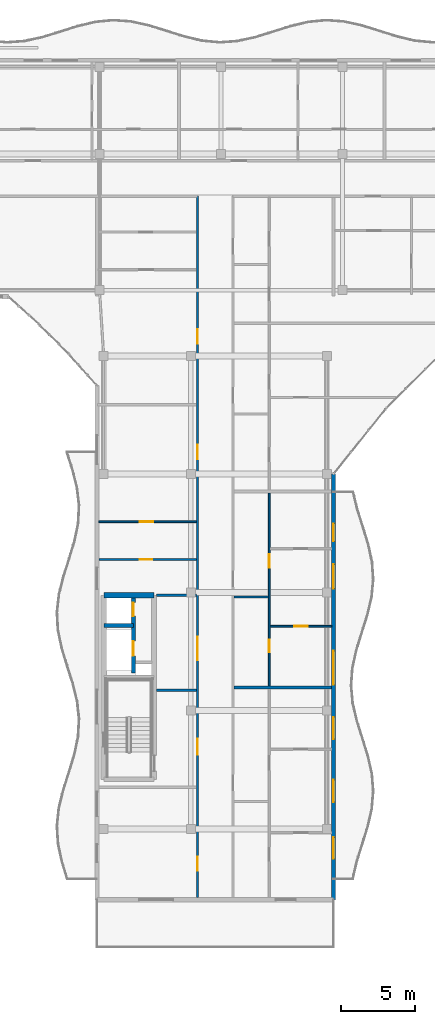
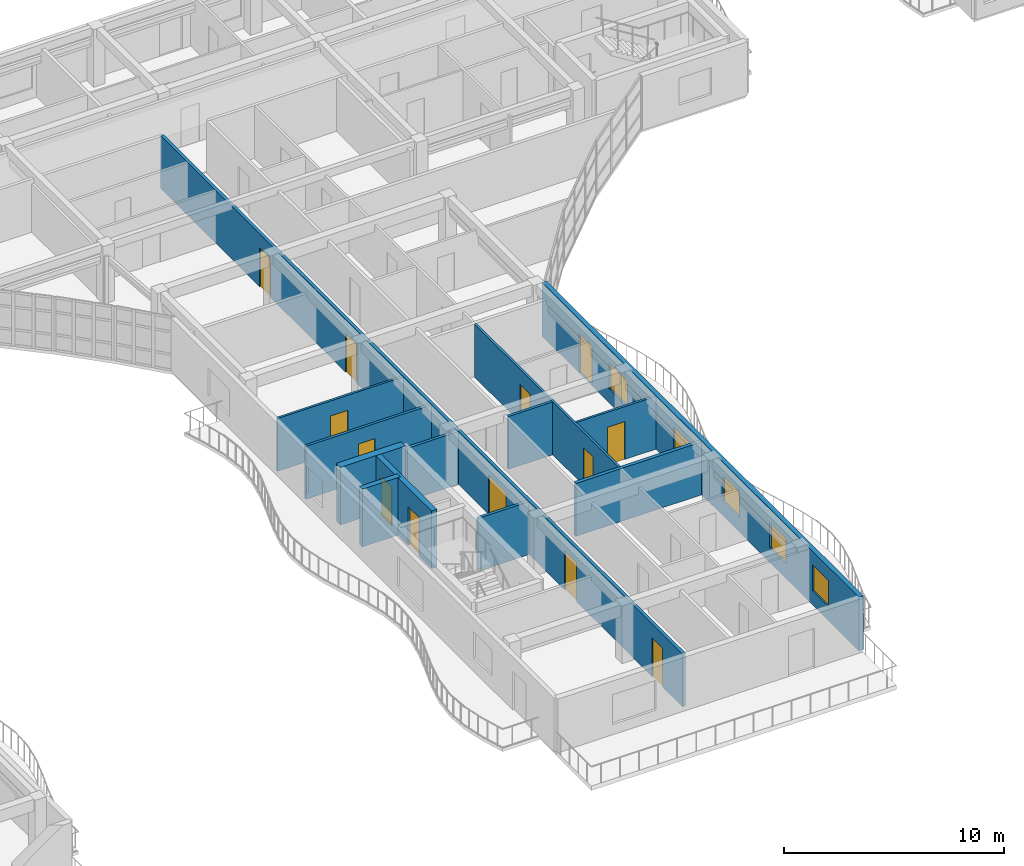
# One storey, part 31 of 71: 13 doors, 13 walls, 5 windows, 18 openings.
"""IFC4 building model written with IfcOpenShell, lengths in metres."""

from ifc_helpers import new_model, si_unit, direction, frame, frame_2d, origin, place, context, subcontext, project, spatial, rectangle, extrude, material, layer, layer_set, type_object, element, fill, save


model = new_model("IFC4")

# Units and contexts
model_context = context("Model", 3, precision=1e-05, world=origin(), true_north=direction((0.0, 1.0)))
body_context = subcontext(model_context, "Body", "Model", "MODEL_VIEW")
ifc_project = project(units=[si_unit("LENGTHUNIT", "METRE"), si_unit("AREAUNIT", "SQUARE_METRE"), si_unit("VOLUMEUNIT", "CUBIC_METRE"), si_unit("PLANEANGLEUNIT", "RADIAN"), si_unit("MASSUNIT", "GRAM", prefix="KILO")], contexts=[model_context])

# Site, building, storey
site_placement = place(None, origin())
site = spatial("IfcSite", under=ifc_project, at=site_placement, CompositionType="ELEMENT")
building_placement = place(site_placement, origin())
building = spatial("IfcBuilding", under=site, at=building_placement, Name="Keldmere Railside Commons", CompositionType="ELEMENT")
storey_placement = place(building_placement, frame((0.0, 0.0, 20.159912109375)))
storey = spatial("IfcBuildingStorey", under=building, at=storey_placement, Name="L06", CompositionType="ELEMENT", Elevation=20.159912109375)

# Wall
ifc_material_1 = material(Name="Acoustic Gypsum Board Partition", Category="gypsum")
ifc_layer_1 = layer(ifc_material_1, 0.179931640625, Name="Acoustic Demising Partition 180")
ifc_layer_set_1 = layer_set([ifc_layer_1], Name="Acoustic Gypsum Board Partition")
wall_type_1 = type_object("IfcWallType", Name="Acoustic Demising Partition 180", PredefinedType="PARTITIONING", material=ifc_layer_set_1)
wall_1_placement = place(storey_placement, frame((57.280029296875, 73.570068359375, 0.0), z_axis=(0.0, 0.0, 1.0), x_axis=(1.0, 0.0, 0.0)))
element("IfcWall", 1, at=wall_1_placement, inside=storey, type_object=wall_type_1, Name="IW-1 IW-L06-0734", PredefinedType="PARTITIONING", context=body_context, shape_type="SweptSolid", body=[
    extrude(rectangle(XDim=6.599853515625, YDim=0.179931640625, at=frame_2d((3.2998046875, 0.0))), origin(), (0.0, 0.0, 1.0), 2.93505859375),
])

# Wall, openings, doors
ifc_layer_2 = layer(ifc_material_1, 0.1201171875, Name="Apartment Interior Partition 120")
ifc_layer_set_2 = layer_set([ifc_layer_2], Name="Acoustic Gypsum Board Partition")
wall_type_2 = type_object("IfcWallType", Name="Apartment Interior Partition 120", PredefinedType="PARTITIONING", material=ifc_layer_set_2)
wall_2_placement = place(storey_placement, frame((59.659912109375, 73.659912109375, 0.0), z_axis=(0.0, 0.0, 1.0), x_axis=(0.0, 1.0, 0.0)))
wall_2 = element("IfcWall", 2, at=wall_2_placement, inside=storey, type_object=wall_type_2, Name="IW-4 IW-L06-0741", PredefinedType="PARTITIONING", context=body_context, shape_type="SweptSolid", body=[
    extrude(rectangle(XDim=13.080078125, YDim=0.1201171875, at=frame_2d((6.5400390625, 0.0))), origin(), (0.0, 0.0, 1.0), 2.93505859375),
])
opening_1_placement = place(wall_2_placement, frame((2.28759765625, 0.0, 0.0)))
opening_1 = element("IfcOpeningElement", 3, at=opening_1_placement, cuts=wall_2, Name="Opening ID-04", PredefinedType="OPENING", context=body_context, shape_type="SweptSolid", body=[
    extrude(rectangle(XDim=0.860107421875, YDim=2.10009765625, at=frame_2d((0.43017578125, 1.050048828125))), frame((0.0, 0.070068359375, 0.0), z_axis=(0.0, -1.0, 0.0), x_axis=(1.0, 0.0, 0.0)), (0.0, 0.0, 1.0), 0.14013671875),
])
opening_2_placement = place(wall_2_placement, frame((7.996826171875, 0.0, 0.0)))
opening_2 = element("IfcOpeningElement", 4, at=opening_2_placement, cuts=wall_2, Name="Opening ID-03", PredefinedType="OPENING", context=body_context, shape_type="SweptSolid", body=[
    extrude(rectangle(XDim=0.919921875, YDim=2.10009765625, at=frame_2d((0.4599609375, 1.050048828125))), frame((0.0, 0.070068359375, 0.0), z_axis=(0.0, -1.0, 0.0), x_axis=(1.0, 0.0, 0.0)), (0.0, 0.0, 1.0), 0.14013671875),
])
ifc_material_2 = material(Name="Engineered Oak Timber", Category="wood")
door_type_1 = type_object("IfcDoorType", Name="Apartment Bathroom Door 860x2100", OperationType="NOTDEFINED", PredefinedType="DOOR", material=ifc_material_2)
door_1_placement = place(opening_1_placement, origin())
door_1 = element("IfcDoor", 5, at=door_1_placement, inside=storey, type_object=door_type_1, Name="ID-04 IDR-L06-0622", OperationType="SINGLE_SWING_RIGHT", OverallHeight=2.10009765625, OverallWidth=0.860107421875, PredefinedType="DOOR", context=body_context, shape_type="SweptSolid", body=[
    extrude(rectangle(XDim=0.860107421875, YDim=2.10009765625, at=frame_2d((0.43017578125, 1.050048828125))), frame((0.0, 0.02490234375, 0.0), z_axis=(0.0, -1.0, 0.0), x_axis=(1.0, 0.0, 0.0)), (0.0, 0.0, 1.0), 0.050048828125),
])
fill(opening_1, door_1)
door_type_2 = type_object("IfcDoorType", Name="Kitchen Pocket-Frame Swing Door 920x2100", OperationType="NOTDEFINED", PredefinedType="DOOR", material=ifc_material_2)
door_2_placement = place(opening_2_placement, origin())
door_2 = element("IfcDoor", 6, at=door_2_placement, inside=storey, type_object=door_type_2, Name="ID-03 IDR-L06-0623", OperationType="SINGLE_SWING_LEFT", OverallHeight=2.10009765625, OverallWidth=0.919921875, PredefinedType="DOOR", context=body_context, shape_type="SweptSolid", body=[
    extrude(rectangle(XDim=0.919921875, YDim=2.10009765625, at=frame_2d((0.4599609375, 1.050048828125))), frame((0.0, 0.02490234375, 0.0), z_axis=(0.0, -1.0, 0.0), x_axis=(1.0, 0.0, 0.0)), (0.0, 0.0, 1.0), 0.050048828125),
])
fill(opening_2, door_2)

# Wall, opening, door
wall_3_placement = place(storey_placement, frame((59.719970703125, 77.7099609375, 0.0), z_axis=(0.0, 0.0, 1.0), x_axis=(1.0, 0.0, 0.0)))
wall_3 = element("IfcWall", 7, at=wall_3_placement, inside=storey, type_object=wall_type_2, Name="IW-4 IW-L06-0743", PredefinedType="PARTITIONING", context=body_context, shape_type="SweptSolid", body=[
    extrude(rectangle(XDim=4.159912109375, YDim=0.1201171875, at=frame_2d((2.080078125, 0.0))), origin(), (0.0, 0.0, 1.0), 2.93505859375),
])
opening_3_placement = place(wall_3_placement, frame((1.6298828125, 0.0, 0.0)))
opening_3 = element("IfcOpeningElement", 8, at=opening_3_placement, cuts=wall_3, Name="Opening ID-01", PredefinedType="OPENING", context=body_context, shape_type="SweptSolid", body=[
    extrude(rectangle(XDim=0.89990234375, YDim=2.10009765625, at=frame_2d((0.449951171875, 1.050048828125))), frame((0.0, 0.070068359375, 0.0), z_axis=(0.0, -1.0, 0.0), x_axis=(1.0, 0.0, 0.0)), (0.0, 0.0, 1.0), 0.14013671875),
])
door_type_3 = type_object("IfcDoorType", Name="Primary Bedroom Door 900x2100", OperationType="NOTDEFINED", PredefinedType="DOOR", material=ifc_material_2)
door_3_placement = place(opening_3_placement, origin())
door_3 = element("IfcDoor", 9, at=door_3_placement, inside=storey, type_object=door_type_3, Name="ID-01 IDR-L06-0625", OperationType="SINGLE_SWING_LEFT", OverallHeight=2.10009765625, OverallWidth=0.89990234375, PredefinedType="DOOR", context=body_context, shape_type="SweptSolid", body=[
    extrude(rectangle(XDim=0.89990234375, YDim=2.10009765625, at=frame_2d((0.449951171875, 1.050048828125))), frame((0.0, 0.02490234375, 0.0), z_axis=(0.0, -1.0, 0.0), x_axis=(1.0, 0.0, 0.0)), (0.0, 0.0, 1.0), 0.050048828125),
])
fill(opening_3, door_3)

wall_4_placement = place(storey_placement, frame((48.1201171875, 84.780029296875, 0.0), z_axis=(0.0, 0.0, 1.0), x_axis=(1.0, 0.0, 0.0)))
wall_4 = element("IfcWall", 10, at=wall_4_placement, inside=storey, type_object=wall_type_2, Name="IW-4 IW-L06-0766", PredefinedType="PARTITIONING", context=body_context, shape_type="SweptSolid", body=[
    extrude(rectangle(XDim=6.599853515625, YDim=0.1201171875, at=frame_2d((3.2998046875, 0.0))), origin(), (0.0, 0.0, 1.0), 2.93505859375),
])
opening_4_placement = place(wall_4_placement, frame((2.77197265625, 0.0, 0.0)))
opening_4 = element("IfcOpeningElement", 11, at=opening_4_placement, cuts=wall_4, Name="Opening ID-03", PredefinedType="OPENING", context=body_context, shape_type="SweptSolid", body=[
    extrude(rectangle(XDim=0.919921875, YDim=2.10009765625, at=frame_2d((0.4599609375, 1.050048828125))), frame((0.0, 0.070068359375, 0.0), z_axis=(0.0, -1.0, 0.0), x_axis=(1.0, 0.0, 0.0)), (0.0, 0.0, 1.0), 0.14013671875),
])
door_4_placement = place(opening_4_placement, origin())
door_4 = element("IfcDoor", 12, at=door_4_placement, inside=storey, type_object=door_type_2, Name="ID-03 IDR-L06-0655", OperationType="SINGLE_SWING_LEFT", OverallHeight=2.10009765625, OverallWidth=0.919921875, PredefinedType="DOOR", context=body_context, shape_type="SweptSolid", body=[
    extrude(rectangle(XDim=0.919921875, YDim=2.10009765625, at=frame_2d((0.4599609375, 1.050048828125))), frame((0.0, 0.02490234375, 0.0), z_axis=(0.0, -1.0, 0.0), x_axis=(1.0, 0.0, 0.0)), (0.0, 0.0, 1.0), 0.050048828125),
])
fill(opening_4, door_4)

# Wall
ifc_material_3 = material(Name="Concrete H-35 (C35/45)", Category="concrete")
ifc_layer_3 = layer(ifc_material_3, 0.280029296875, Name="Core Shear Wall 280")
ifc_layer_set_3 = layer_set([ifc_layer_3], Name="Concrete H-35 (C35/45)")
wall_type_3 = type_object("IfcWallType", Name="Core Shear Wall 280", PredefinedType="SHEAR", material=ifc_layer_set_3)
wall_5_placement = place(storey_placement, frame((48.4599609375, 77.75, 0.0), z_axis=(0.0, 0.0, 1.0), x_axis=(1.0, 0.0, 0.0)))
element("IfcWall", 13, at=wall_5_placement, inside=storey, type_object=wall_type_3, Name="CSW-2 CORECL-L06-0275", PredefinedType="SHEAR", context=body_context, shape_type="SweptSolid", body=[
    extrude(rectangle(XDim=2.0, YDim=0.280029296875, at=frame_2d((1.0, 0.0))), origin(), (0.0, 0.0, 1.0), 3.2001953125),
])

# Wall, openings, doors
wall_6_placement = place(storey_placement, frame((50.4599609375, 74.550048828125, 0.0), z_axis=(0.0, 0.0, 1.0), x_axis=(0.0, 1.0, 0.0)))
wall_6 = element("IfcWall", 14, at=wall_6_placement, inside=storey, type_object=wall_type_3, Name="CSW-2 LSHC-L06-0276", PredefinedType="SHEAR", context=body_context, shape_type="SweptSolid", body=[
    extrude(rectangle(XDim=5.25, YDim=0.280029296875, at=frame_2d((2.625, 0.0))), origin(), (0.0, 0.0, 1.0), 3.2001953125),
])
opening_5_placement = place(wall_6_placement, frame((1.14990234375, 0.0, 0.0)))
opening_5 = element("IfcOpeningElement", 15, at=opening_5_placement, cuts=wall_6, Name="Opening LD-1", PredefinedType="OPENING", context=body_context, shape_type="SweptSolid", body=[
    extrude(rectangle(XDim=1.0, YDim=2.14990234375, at=frame_2d((0.5, 1.074951171875))), frame((0.0, 0.14990234375, 0.0), z_axis=(0.0, -1.0, 0.0), x_axis=(1.0, 0.0, 0.0)), (0.0, 0.0, 1.0), 0.300048828125),
])
opening_6_placement = place(wall_6_placement, frame((3.85009765625, 0.0, 0.0)))
opening_6 = element("IfcOpeningElement", 16, at=opening_6_placement, cuts=wall_6, Name="Opening LD-2", PredefinedType="OPENING", context=body_context, shape_type="SweptSolid", body=[
    extrude(rectangle(XDim=0.89990234375, YDim=2.14990234375, at=frame_2d((0.449951171875, 1.074951171875))), frame((0.0, 0.14990234375, 0.0), z_axis=(0.0, -1.0, 0.0), x_axis=(1.0, 0.0, 0.0)), (0.0, 0.0, 1.0), 0.300048828125),
])
ifc_material_4 = material(Name="Steel F-24 (S235)", Category="steel")
door_type_4 = type_object("IfcDoorType", Name="Firefighting Stretcher Lift Landing Door 1000x2150", OperationType="SLIDING_TO_LEFT", PredefinedType="DOOR", material=ifc_material_4)
door_5_placement = place(opening_5_placement, origin())
door_5 = element("IfcDoor", 17, at=door_5_placement, inside=storey, type_object=door_type_4, Name="LD-1 C L06", OperationType="SLIDING_TO_LEFT", OverallHeight=2.14990234375, OverallWidth=1.0, PredefinedType="DOOR", context=body_context, shape_type="SweptSolid", body=[
    extrude(rectangle(XDim=1.0, YDim=2.14990234375, at=frame_2d((0.5, 1.074951171875))), frame((0.0, 0.02490234375, 0.0), z_axis=(0.0, -1.0, 0.0), x_axis=(1.0, 0.0, 0.0)), (0.0, 0.0, 1.0), 0.050048828125),
])
fill(opening_5, door_5)
door_type_5 = type_object("IfcDoorType", Name="Passenger Lift Sliding Landing Door 900x2150", OperationType="SLIDING_TO_RIGHT", PredefinedType="DOOR", material=ifc_material_4)
door_6_placement = place(opening_6_placement, origin())
door_6 = element("IfcDoor", 18, at=door_6_placement, inside=storey, type_object=door_type_5, Name="LD-2 C L06", OperationType="SLIDING_TO_RIGHT", OverallHeight=2.14990234375, OverallWidth=0.89990234375, PredefinedType="DOOR", context=body_context, shape_type="SweptSolid", body=[
    extrude(rectangle(XDim=0.89990234375, YDim=2.14990234375, at=frame_2d((0.449951171875, 1.074951171875))), frame((0.0, 0.02490234375, 0.0), z_axis=(0.0, -1.0, 0.0), x_axis=(1.0, 0.0, 0.0)), (0.0, 0.0, 1.0), 0.050048828125),
])
fill(opening_6, door_6)

# Wall
ifc_material_5 = material(Name="Concrete H-40 (C40/50)", Category="concrete")
ifc_layer_4 = layer(ifc_material_5, 0.3798828125, Name="Core Shear Wall 380")
ifc_layer_set_4 = layer_set([ifc_layer_4], Name="Concrete H-40 (C40/50)")
wall_type_4 = type_object("IfcWallType", Name="Core Shear Wall 380", PredefinedType="SHEAR", material=ifc_layer_set_4)
wall_7_placement = place(storey_placement, frame((48.4599609375, 79.800048828125, 0.0), z_axis=(0.0, 0.0, 1.0), x_axis=(1.0, 0.0, 0.0)))
element("IfcWall", 19, at=wall_7_placement, inside=storey, type_object=wall_type_4, Name="CW-CORE CORECN-L06-0271", PredefinedType="SHEAR", context=body_context, shape_type="SweptSolid", body=[
    extrude(rectangle(XDim=3.41015625, YDim=0.3798828125, at=frame_2d((1.705078125, 0.0))), origin(), (0.0, 0.0, 1.0), 3.2001953125),
])

# Wall, openings, doors
ifc_layer_5 = layer(ifc_material_1, 0.159912109375, Name="Corridor Fire Partition 160")
ifc_layer_set_5 = layer_set([ifc_layer_5], Name="Acoustic Gypsum Board Partition")
wall_type_5 = type_object("IfcWallType", Name="Corridor Fire Partition 160", PredefinedType="PARTITIONING", material=ifc_layer_set_5)
wall_8_placement = place(storey_placement, frame((54.800048828125, 59.360107421875, 0.0), z_axis=(0.0, 0.0, 1.0), x_axis=(0.0, 1.0, 0.0)))
wall_8 = element("IfcWall", 20, at=wall_8_placement, inside=storey, type_object=wall_type_5, Name="IW-2 IW-L06-0725", PredefinedType="PARTITIONING", context=body_context, shape_type="SweptSolid", body=[
    extrude(rectangle(XDim=47.43994140625, YDim=0.159912109375, at=frame_2d((23.719970703125, 0.0))), origin(), (0.0, 0.0, 1.0), 2.93505859375),
])
opening_7_placement = place(wall_8_placement, frame((9.639892578125, 0.0, 0.0)))
opening_7 = element("IfcOpeningElement", 21, at=opening_7_placement, cuts=wall_8, Name="Opening FD-2", PredefinedType="OPENING", context=body_context, shape_type="SweptSolid", body=[
    extrude(rectangle(XDim=1.10009765625, YDim=2.14990234375, at=frame_2d((0.550048828125, 1.074951171875))), frame((0.0, 0.08984375, 0.0), z_axis=(0.0, -1.0, 0.0), x_axis=(1.0, 0.0, 0.0)), (0.0, 0.0, 1.0), 0.179931640625),
])
opening_8_placement = place(wall_8_placement, frame((16.0400390625, 0.0, 0.0)))
opening_8 = element("IfcOpeningElement", 22, at=opening_8_placement, cuts=wall_8, Name="Opening FD-4", PredefinedType="OPENING", context=body_context, shape_type="SweptSolid", body=[
    extrude(rectangle(XDim=1.60009765625, YDim=2.14990234375, at=frame_2d((0.800048828125, 1.074951171875))), frame((0.0, 0.08984375, 0.0), z_axis=(0.0, -1.0, 0.0), x_axis=(1.0, 0.0, 0.0)), (0.0, 0.0, 1.0), 0.179931640625),
])
opening_9_placement = place(wall_8_placement, frame((1.800048828125, 0.0, 0.0)))
opening_9 = element("IfcOpeningElement", 23, at=opening_9_placement, cuts=wall_8, Name="Opening ID-08", PredefinedType="OPENING", context=body_context, shape_type="SweptSolid", body=[
    extrude(rectangle(XDim=0.9599609375, YDim=2.14990234375, at=frame_2d((0.47998046875, 1.074951171875))), frame((0.0, 0.08984375, 0.0), z_axis=(0.0, -1.0, 0.0), x_axis=(1.0, 0.0, 0.0)), (0.0, 0.0, 1.0), 0.179931640625),
])
opening_10_placement = place(wall_8_placement, frame((29.64501953125, 0.0, 0.0)))
opening_10 = element("IfcOpeningElement", 24, at=opening_10_placement, cuts=wall_8, Name="Opening FD-7", PredefinedType="OPENING", context=body_context, shape_type="SweptSolid", body=[
    extrude(rectangle(XDim=0.97998046875, YDim=2.14990234375, at=frame_2d((0.489990234375, 1.074951171875))), frame((0.0, 0.08984375, 0.0), z_axis=(0.0, -1.0, 0.0), x_axis=(1.0, 0.0, 0.0)), (0.0, 0.0, 1.0), 0.179931640625),
])
opening_11_placement = place(wall_8_placement, frame((37.455078125, 0.0, 0.0)))
opening_11 = element("IfcOpeningElement", 25, at=opening_11_placement, cuts=wall_8, Name="Opening FD-7", PredefinedType="OPENING", context=body_context, shape_type="SweptSolid", body=[
    extrude(rectangle(XDim=0.97998046875, YDim=2.14990234375, at=frame_2d((0.489990234375, 1.074951171875))), frame((0.0, 0.08984375, 0.0), z_axis=(0.0, -1.0, 0.0), x_axis=(1.0, 0.0, 0.0)), (0.0, 0.0, 1.0), 0.179931640625),
])
door_type_6 = type_object("IfcDoorType", Name="Apartment Entrance Acoustic Fire Door 980x2150", OperationType="NOTDEFINED", PredefinedType="DOOR", material=ifc_material_2)
door_7_placement = place(opening_10_placement, origin())
door_7 = element("IfcDoor", 26, at=door_7_placement, inside=storey, type_object=door_type_6, Name="FD-7 IDR-L06-0656", OperationType="SINGLE_SWING_RIGHT", OverallHeight=2.14990234375, OverallWidth=0.97998046875, PredefinedType="DOOR", context=body_context, shape_type="SweptSolid", body=[
    extrude(rectangle(XDim=0.97998046875, YDim=2.14990234375, at=frame_2d((0.489990234375, 1.074951171875))), frame((0.0, 0.02490234375, 0.0), z_axis=(0.0, -1.0, 0.0), x_axis=(1.0, 0.0, 0.0)), (0.0, 0.0, 1.0), 0.050048828125),
])
fill(opening_10, door_7)
door_8_placement = place(opening_11_placement, origin())
door_8 = element("IfcDoor", 27, at=door_8_placement, inside=storey, type_object=door_type_6, Name="FD-7 IDR-L06-0659", OperationType="SINGLE_SWING_LEFT", OverallHeight=2.14990234375, OverallWidth=0.97998046875, PredefinedType="DOOR", context=body_context, shape_type="SweptSolid", body=[
    extrude(rectangle(XDim=0.97998046875, YDim=2.14990234375, at=frame_2d((0.489990234375, 1.074951171875))), frame((0.0, 0.02490234375, 0.0), z_axis=(0.0, -1.0, 0.0), x_axis=(1.0, 0.0, 0.0)), (0.0, 0.0, 1.0), 0.050048828125),
])
fill(opening_11, door_8)
door_type_7 = type_object("IfcDoorType", Name="Corridor Cross-Compartment Double Fire Door 1600x2150", OperationType="DOUBLE_DOOR_SINGLE_SWING", PredefinedType="DOOR", material=ifc_material_4)
door_9_placement = place(opening_8_placement, origin())
door_9 = element("IfcDoor", 28, at=door_9_placement, inside=storey, type_object=door_type_7, Name="FD-4 IDR-L06-0616", OperationType="DOUBLE_DOOR_SINGLE_SWING", OverallHeight=2.14990234375, OverallWidth=1.60009765625, PredefinedType="DOOR", context=body_context, shape_type="SweptSolid", body=[
    extrude(rectangle(XDim=1.60009765625, YDim=2.14990234375, at=frame_2d((0.800048828125, 1.074951171875))), frame((0.0, 0.02490234375, 0.0), z_axis=(0.0, -1.0, 0.0), x_axis=(1.0, 0.0, 0.0)), (0.0, 0.0, 1.0), 0.050048828125),
])
fill(opening_8, door_9)
door_type_8 = type_object("IfcDoorType", Name="Firefighting Lobby Fire Door 1100x2150", OperationType="NOTDEFINED", PredefinedType="DOOR", material=ifc_material_4)
door_10_placement = place(opening_7_placement, origin())
door_10 = element("IfcDoor", 29, at=door_10_placement, inside=storey, type_object=door_type_8, Name="FD-2 IDR-L06-0615", OperationType="SINGLE_SWING_LEFT", OverallHeight=2.14990234375, OverallWidth=1.10009765625, PredefinedType="DOOR", context=body_context, shape_type="SweptSolid", body=[
    extrude(rectangle(XDim=1.10009765625, YDim=2.14990234375, at=frame_2d((0.550048828125, 1.074951171875))), frame((0.0, 0.02490234375, 0.0), z_axis=(0.0, -1.0, 0.0), x_axis=(1.0, 0.0, 0.0)), (0.0, 0.0, 1.0), 0.050048828125),
])
fill(opening_7, door_10)
door_type_9 = type_object("IfcDoorType", Name="Study & Meeting Room Door 960x2150", OperationType="NOTDEFINED", PredefinedType="DOOR", material=ifc_material_2)
door_11_placement = place(opening_9_placement, origin())
door_11 = element("IfcDoor", 30, at=door_11_placement, inside=storey, type_object=door_type_9, Name="ID-08 IDR-L06-0653", OperationType="SINGLE_SWING_LEFT", OverallHeight=2.14990234375, OverallWidth=0.9599609375, PredefinedType="DOOR", context=body_context, shape_type="SweptSolid", body=[
    extrude(rectangle(XDim=0.9599609375, YDim=2.14990234375, at=frame_2d((0.47998046875, 1.074951171875))), frame((0.0, 0.02490234375, 0.0), z_axis=(0.0, -1.0, 0.0), x_axis=(1.0, 0.0, 0.0)), (0.0, 0.0, 1.0), 0.050048828125),
])
fill(opening_9, door_11)

# Walls
ifc_layer_6 = layer(ifc_material_1, 0.14990234375, Name="Lobby Rated Partition 150")
ifc_layer_set_6 = layer_set([ifc_layer_6], Name="Acoustic Gypsum Board Partition")
wall_type_6 = type_object("IfcWallType", Name="Lobby Rated Partition 150", PredefinedType="PARTITIONING", material=ifc_layer_set_6)
for number, where, z_axis, x_axis, name in (
    (31, (52.0400390625, 73.3798828125, 0.0), (0.0, 0.0, 1.0), (1.0, 0.0, 0.0), "IW-3 IW-L06-0723"),
    (32, (52.0400390625, 79.800048828125, 0.0), (0.0, 0.0, 1.0), (1.0, 0.0, 0.0), "IW-3 IW-L06-0724"),
):
    element("IfcWall", number, at=place(storey_placement, frame(where, z_axis=z_axis, x_axis=x_axis)), inside=storey, type_object=wall_type_6, Name=name, PredefinedType="PARTITIONING", context=body_context, shape_type="SweptSolid", body=[
        extrude(rectangle(XDim=2.679931640625, YDim=0.14990234375, at=frame_2d((1.33984375, 0.0))), origin(), (0.0, 0.0, 1.0), 2.93505859375),
    ])

# Wall, openings, door, windows
ifc_material_6 = material(Name="Architectural Precast Concrete H-35 (C35/45)", Category="concrete")
ifc_layer_7 = layer(ifc_material_6, 0.239990234375, Name="Sand-Ochre Precast Cavity Wall 240")
ifc_layer_set_7 = layer_set([ifc_layer_7], Name="Architectural Precast Concrete H-35 (C35/45)")
wall_type_7 = type_object("IfcWallType", Name="Sand-Ochre Precast Cavity Wall 240", PredefinedType="SOLIDWALL", material=ifc_layer_set_7)
wall_9_placement = place(storey_placement, frame((64.0, 88.0, 0.0), z_axis=(0.0, 0.0, 1.0), x_axis=(0.0, -1.0, 0.0)))
wall_9 = element("IfcWall", 33, at=wall_9_placement, inside=storey, type_object=wall_type_7, Name="EW-2 EXTC-L06-0372", PredefinedType="SOLIDWALL", context=body_context, shape_type="SweptSolid", body=[
    extrude(rectangle(XDim=28.800048828125, YDim=0.239990234375, at=frame_2d((14.39990234375, 0.0))), origin(), (0.0, 0.0, 1.0), 2.97998046875),
])
opening_12_placement = place(wall_9_placement, frame((3.35009765625, 0.0, 0.0)))
opening_12 = element("IfcOpeningElement", 34, at=opening_12_placement, cuts=wall_9, Name="Opening BD-01", PredefinedType="OPENING", context=body_context, shape_type="SweptSolid", body=[
    extrude(rectangle(XDim=1.199951171875, YDim=2.199951171875, at=frame_2d((0.60009765625, 1.10009765625))), frame((0.0, 0.1298828125, 0.0), z_axis=(0.0, -1.0, 0.0), x_axis=(1.0, 0.0, 0.0)), (0.0, 0.0, 1.0), 0.260009765625),
])
opening_13_placement = place(wall_9_placement, frame((6.10009765625, 0.0, 0.77001953125)))
opening_13 = element("IfcOpeningElement", 35, at=opening_13_placement, cuts=wall_9, Name="Opening WN-03", PredefinedType="OPENING", context=body_context, shape_type="SweptSolid", body=[
    extrude(rectangle(XDim=1.64990234375, YDim=1.449951171875, at=frame_2d((0.824951171875, 0.72509765625))), frame((0.0, 0.1298828125, 0.0), z_axis=(0.0, -1.0, 0.0), x_axis=(1.0, 0.0, 0.0)), (0.0, 0.0, 1.0), 0.260009765625),
])
opening_14_placement = place(wall_9_placement, frame((11.949951171875, 0.0, 0.570068359375)))
opening_14 = element("IfcOpeningElement", 36, at=opening_14_placement, cuts=wall_9, Name="Opening WN-23", PredefinedType="OPENING", context=body_context, shape_type="SweptSolid", body=[
    extrude(rectangle(XDim=2.300048828125, YDim=1.64990234375, at=frame_2d((1.14990234375, 0.824951171875))), frame((0.0, 0.1298828125, 0.0), z_axis=(0.0, -1.0, 0.0), x_axis=(1.0, 0.0, 0.0)), (0.0, 0.0, 1.0), 0.260009765625),
])
opening_15_placement = place(wall_9_placement, frame((24.574951171875, 0.0, 0.77001953125)))
opening_15 = element("IfcOpeningElement", 37, at=opening_15_placement, cuts=wall_9, Name="Opening WN-24", PredefinedType="OPENING", context=body_context, shape_type="SweptSolid", body=[
    extrude(rectangle(XDim=1.449951171875, YDim=1.449951171875, at=frame_2d((0.72509765625, 0.72509765625))), frame((0.0, 0.1298828125, 0.0), z_axis=(0.0, -1.0, 0.0), x_axis=(1.0, 0.0, 0.0)), (0.0, 0.0, 1.0), 0.260009765625),
])
opening_16_placement = place(wall_9_placement, frame((20.68505859375, 0.0, 0.820068359375)))
opening_16 = element("IfcOpeningElement", 38, at=opening_16_placement, cuts=wall_9, Name="Opening WN-06", PredefinedType="OPENING", context=body_context, shape_type="SweptSolid", body=[
    extrude(rectangle(XDim=1.5, YDim=1.39990234375, at=frame_2d((0.75, 0.699951171875))), frame((0.0, 0.1298828125, 0.0), z_axis=(0.0, -1.0, 0.0), x_axis=(1.0, 0.0, 0.0)), (0.0, 0.0, 1.0), 0.260009765625),
])
opening_17_placement = place(wall_9_placement, frame((16.431640625, 0.0, 0.820068359375)))
opening_17 = element("IfcOpeningElement", 39, at=opening_17_placement, cuts=wall_9, Name="Opening WN-06", PredefinedType="OPENING", context=body_context, shape_type="SweptSolid", body=[
    extrude(rectangle(XDim=1.5, YDim=1.39990234375, at=frame_2d((0.75, 0.699951171875))), frame((0.0, 0.1298828125, 0.0), z_axis=(0.0, -1.0, 0.0), x_axis=(1.0, 0.0, 0.0)), (0.0, 0.0, 1.0), 0.260009765625),
])
ifc_material_7 = material(Name="Thermally Broken Aluminium", Category="aluminium")
door_type_10 = type_object("IfcDoorType", Name="Apartment Living Wave-Balcony Glazed Door 1200x2200", OperationType="NOTDEFINED", PredefinedType="DOOR", material=ifc_material_7)
door_12_placement = place(opening_12_placement, origin())
door_12 = element("IfcDoor", 40, at=door_12_placement, inside=storey, type_object=door_type_10, Name="BD-01 DR-L06-0094", OperationType="SINGLE_SWING_RIGHT", OverallHeight=2.199951171875, OverallWidth=1.199951171875, PredefinedType="DOOR", context=body_context, shape_type="SweptSolid", body=[
    extrude(rectangle(XDim=1.199951171875, YDim=2.199951171875, at=frame_2d((0.60009765625, 1.10009765625))), frame((0.0, 0.02490234375, 0.0), z_axis=(0.0, -1.0, 0.0), x_axis=(1.0, 0.0, 0.0)), (0.0, 0.0, 1.0), 0.050048828125),
])
fill(opening_12, door_12)
ifc_material_8 = material(Name="Low-E Insulated Double Glazing", Category="glass")
window_type_1 = type_object("IfcWindowType", Name="Living Room East Shaded Window 1650x1450", PartitioningType="SINGLE_PANEL", PredefinedType="WINDOW", material=ifc_material_8)
window_1_placement = place(opening_13_placement, origin())
window_1 = element("IfcWindow", 41, at=window_1_placement, inside=storey, type_object=window_type_1, Name="WN-03 WIN-L06-0270", OverallHeight=1.449951171875, OverallWidth=1.64990234375, PartitioningType="SINGLE_PANEL", PredefinedType="WINDOW", context=body_context, shape_type="SweptSolid", body=[
    extrude(rectangle(XDim=1.64990234375, YDim=1.449951171875, at=frame_2d((0.824951171875, 0.72509765625))), frame((0.0, 0.030029296875, 0.0), z_axis=(0.0, -1.0, 0.0), x_axis=(1.0, 0.0, 0.0)), (0.0, 0.0, 1.0), 0.06005859375),
])
fill(opening_13, window_1)
window_type_2 = type_object("IfcWindowType", Name="Primary Bedroom North Window 1500x1400", PartitioningType="SINGLE_PANEL", PredefinedType="WINDOW", material=ifc_material_8)
window_2_placement = place(opening_16_placement, origin())
window_2 = element("IfcWindow", 42, at=window_2_placement, inside=storey, type_object=window_type_2, Name="WN-06 WIN-L06-9051", OverallHeight=1.39990234375, OverallWidth=1.5, PartitioningType="SINGLE_PANEL", PredefinedType="WINDOW", context=body_context, shape_type="SweptSolid", body=[
    extrude(rectangle(XDim=1.5, YDim=1.39990234375, at=frame_2d((0.75, 0.699951171875))), frame((0.0, 0.030029296875, 0.0), z_axis=(0.0, -1.0, 0.0), x_axis=(1.0, 0.0, 0.0)), (0.0, 0.0, 1.0), 0.06005859375),
])
fill(opening_16, window_2)
window_3_placement = place(opening_17_placement, origin())
window_3 = element("IfcWindow", 43, at=window_3_placement, inside=storey, type_object=window_type_2, Name="WN-06 WIN-L06-9052", OverallHeight=1.39990234375, OverallWidth=1.5, PartitioningType="SINGLE_PANEL", PredefinedType="WINDOW", context=body_context, shape_type="SweptSolid", body=[
    extrude(rectangle(XDim=1.5, YDim=1.39990234375, at=frame_2d((0.75, 0.699951171875))), frame((0.0, 0.030029296875, 0.0), z_axis=(0.0, -1.0, 0.0), x_axis=(1.0, 0.0, 0.0)), (0.0, 0.0, 1.0), 0.06005859375),
])
fill(opening_17, window_3)
window_type_3 = type_object("IfcWindowType", Name="Setback Terrace Bedroom Window 1450x1450", PartitioningType="SINGLE_PANEL", PredefinedType="WINDOW", material=ifc_material_8)
window_4_placement = place(opening_15_placement, origin())
window_4 = element("IfcWindow", 44, at=window_4_placement, inside=storey, type_object=window_type_3, Name="WN-24 WIN-L06-0272", OverallHeight=1.449951171875, OverallWidth=1.449951171875, PartitioningType="SINGLE_PANEL", PredefinedType="WINDOW", context=body_context, shape_type="SweptSolid", body=[
    extrude(rectangle(XDim=1.449951171875, YDim=1.449951171875, at=frame_2d((0.72509765625, 0.72509765625))), frame((0.0, 0.030029296875, 0.0), z_axis=(0.0, -1.0, 0.0), x_axis=(1.0, 0.0, 0.0)), (0.0, 0.0, 1.0), 0.06005859375),
])
fill(opening_15, window_4)
window_type_4 = type_object("IfcWindowType", Name="Setback Terrace Penthouse Window 2300x1650", PartitioningType="SINGLE_PANEL", PredefinedType="WINDOW", material=ifc_material_8)
window_5_placement = place(opening_14_placement, origin())
window_5 = element("IfcWindow", 45, at=window_5_placement, inside=storey, type_object=window_type_4, Name="WN-23 WIN-L06-0271", OverallHeight=1.64990234375, OverallWidth=2.300048828125, PartitioningType="SINGLE_PANEL", PredefinedType="WINDOW", context=body_context, shape_type="SweptSolid", body=[
    extrude(rectangle(XDim=2.300048828125, YDim=1.64990234375, at=frame_2d((1.14990234375, 0.824951171875))), frame((0.0, 0.030029296875, 0.0), z_axis=(0.0, -1.0, 0.0), x_axis=(1.0, 0.0, 0.0)), (0.0, 0.0, 1.0), 0.06005859375),
])
fill(opening_14, window_5)

# Wall
ifc_layer_8 = layer(ifc_material_1, 0.139892578125, Name="Wet-Room Sanitary Partition 140")
ifc_layer_set_8 = layer_set([ifc_layer_8], Name="Acoustic Gypsum Board Partition")
wall_type_8 = type_object("IfcWallType", Name="Wet-Room Sanitary Partition 140", PredefinedType="PARTITIONING", material=ifc_layer_set_8)
wall_10_placement = place(storey_placement, frame((57.280029296875, 79.679931640625, 0.0), z_axis=(0.0, 0.0, 1.0), x_axis=(1.0, 0.0, 0.0)))
element("IfcWall", 46, at=wall_10_placement, inside=storey, type_object=wall_type_8, Name="IW-5 IW-L06-0742", PredefinedType="PARTITIONING", context=body_context, shape_type="SweptSolid", body=[
    extrude(rectangle(XDim=2.320068359375, YDim=0.139892578125, at=frame_2d((1.16015625, 0.0))), origin(), (0.0, 0.0, 1.0), 2.93505859375),
])

# Wall, opening, door
wall_11_placement = place(storey_placement, frame((48.1201171875, 82.22998046875, 0.0), z_axis=(0.0, 0.0, 1.0), x_axis=(1.0, 0.0, 0.0)))
wall_11 = element("IfcWall", 47, at=wall_11_placement, inside=storey, type_object=wall_type_8, Name="IW-5 IW-L06-0765", PredefinedType="PARTITIONING", context=body_context, shape_type="SweptSolid", body=[
    extrude(rectangle(XDim=6.599853515625, YDim=0.139892578125, at=frame_2d((3.2998046875, 0.0))), origin(), (0.0, 0.0, 1.0), 2.93505859375),
])
opening_18_placement = place(wall_11_placement, frame((2.77197265625, 0.0, 0.0)))
opening_18 = element("IfcOpeningElement", 48, at=opening_18_placement, cuts=wall_11, Name="Opening ID-04", PredefinedType="OPENING", context=body_context, shape_type="SweptSolid", body=[
    extrude(rectangle(XDim=0.860107421875, YDim=2.10009765625, at=frame_2d((0.43017578125, 1.050048828125))), frame((0.0, 0.079833984375, 0.0), z_axis=(0.0, -1.0, 0.0), x_axis=(1.0, 0.0, 0.0)), (0.0, 0.0, 1.0), 0.159912109375),
])
door_13_placement = place(opening_18_placement, origin())
door_13 = element("IfcDoor", 49, at=door_13_placement, inside=storey, type_object=door_type_1, Name="ID-04 IDR-L06-0654", OperationType="SINGLE_SWING_RIGHT", OverallHeight=2.10009765625, OverallWidth=0.860107421875, PredefinedType="DOOR", context=body_context, shape_type="SweptSolid", body=[
    extrude(rectangle(XDim=0.860107421875, YDim=2.10009765625, at=frame_2d((0.43017578125, 1.050048828125))), frame((0.0, 0.02490234375, 0.0), z_axis=(0.0, -1.0, 0.0), x_axis=(1.0, 0.0, 0.0)), (0.0, 0.0, 1.0), 0.050048828125),
])
fill(opening_18, door_13)

save(model, "model.ifc")
